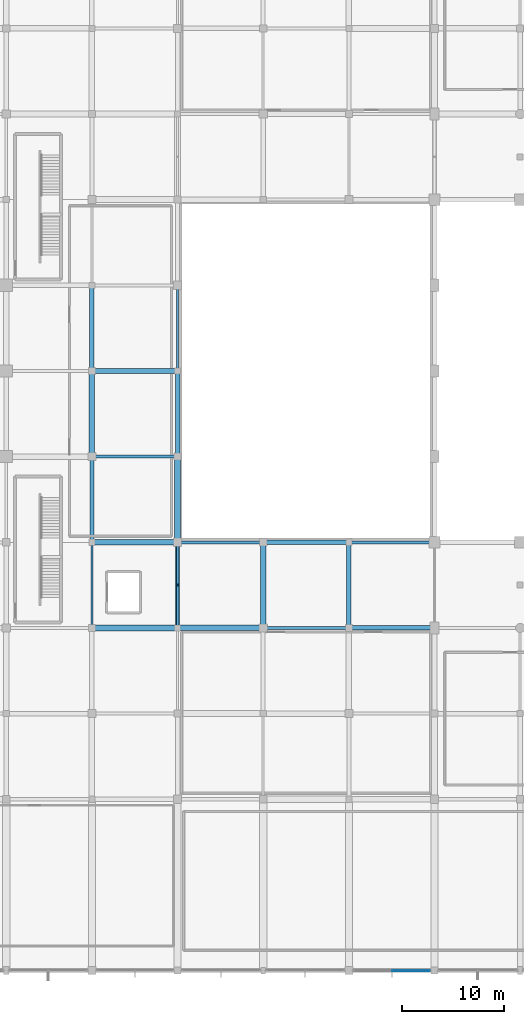
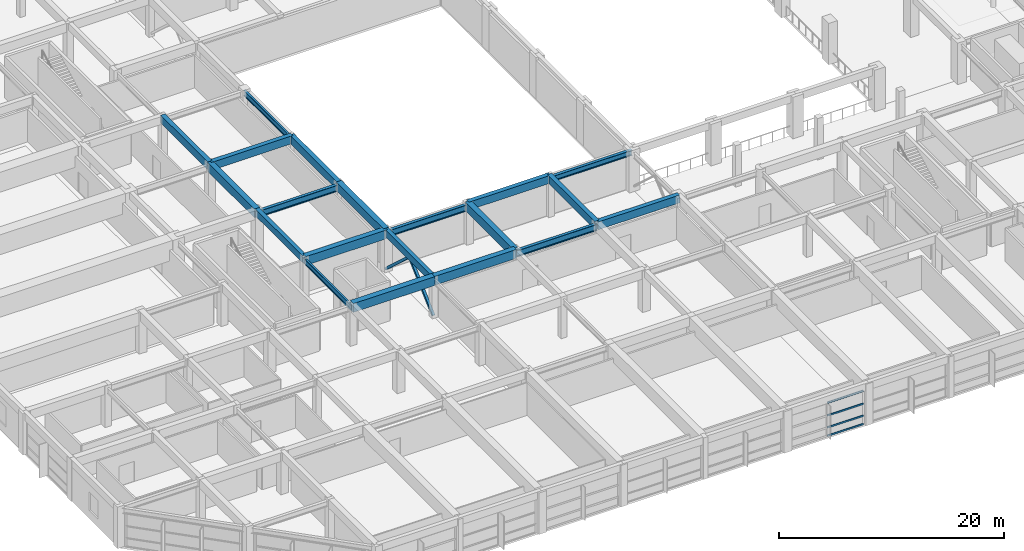
# One storey, part 15 of 65: 20 beams, 6 members, 1 element without a shape of its own.
"""IFC4 building model written with IfcOpenShell, lengths in metres."""

from ifc_helpers import new_model, si_unit, direction, frame, origin, origin_2d, place, context, subcontext, project, spatial, rectangle, hollow_rectangle, i_section, extrude, material, material_profile, profile_set, type_object, element, aggregate, save


model = new_model("IFC4")

# Units and contexts
model_context = context("Model", 3, precision=1e-05, world=origin(), true_north=direction((0.0, 1.0)))
body_context = subcontext(model_context, "Body", "Model", "MODEL_VIEW")
ifc_project = project(units=[si_unit("LENGTHUNIT", "METRE"), si_unit("AREAUNIT", "SQUARE_METRE"), si_unit("VOLUMEUNIT", "CUBIC_METRE"), si_unit("PLANEANGLEUNIT", "RADIAN"), si_unit("MASSUNIT", "GRAM", prefix="KILO")], contexts=[model_context])

# Site, building, storey
site_placement = place(None, origin())
site = spatial("IfcSite", under=ifc_project, at=site_placement, CompositionType="ELEMENT")
building_placement = place(site_placement, origin())
building = spatial("IfcBuilding", under=site, at=building_placement, Name="Xuanlan Plaza Opera House", CompositionType="ELEMENT")
storey_placement = place(building_placement, frame((0.0, 0.0, 5.39990234375)))
storey = spatial("IfcBuildingStorey", under=building, at=storey_placement, Name="L01", CompositionType="ELEMENT", Elevation=5.39990234375)

# Curtain wall, members
ifc_material_1 = material(Name="Anodised Aluminium 6063-T6 and Low-E Glass", Category="aluminium")
curtain_wall_type = type_object("IfcCurtainWallType", Name="ENV-CW-CW-05", PredefinedType="USERDEFINED", material=ifc_material_1)
curtain_wall_placement = place(storey_placement, origin())
curtain_wall = element("IfcCurtainWall", 1, at=curtain_wall_placement, inside=storey, type_object=curtain_wall_type, Name="Acoustic Glazed Wall L01-006", ObjectType="ACOUSTIC GLAZED WALL", PredefinedType="USERDEFINED")
ifc_material_2 = material(Name="Anodised Aluminium 6063-T6", Category="aluminium")
ifc_material_profile_1 = material_profile(ifc_material_2, rectangle(XDim=0.090087890625, YDim=0.179931640625, at=origin_2d()), Name="ALU-T 90x180")
ifc_profile_set_1 = profile_set([ifc_material_profile_1], Name="Anodised Aluminium 6063-T6")
member_type_1 = type_object("IfcMemberType", Name="ENV-CWT-05", PredefinedType="USERDEFINED", material=ifc_profile_set_1)
member_1_placement = place(storey_placement, frame((63.06494140625, 0.0, 0.045166015625), z_axis=(1.0, 0.0, 0.0), x_axis=(0.0, 1.0, 0.0)))
member_1 = element("IfcMember", 2, at=member_1_placement, type_object=member_type_1, Name="CW-05 transom 2.1", ObjectType="TRANSOM", PredefinedType="USERDEFINED", context=body_context, shape_type="SweptSolid", body=[
    extrude(rectangle(XDim=0.090087890625, YDim=0.179931640625, at=origin_2d()), origin(), (0.0, 0.0, 1.0), 3.68505859375),
])
member_2_placement = place(storey_placement, frame((63.06494140625, 0.0, 0.9501953125), z_axis=(1.0, 0.0, 0.0), x_axis=(0.0, 1.0, 0.0)))
member_2 = element("IfcMember", 3, at=member_2_placement, type_object=member_type_1, Name="CW-05 transom 2.2", ObjectType="TRANSOM", PredefinedType="USERDEFINED", context=body_context, shape_type="SweptSolid", body=[
    extrude(rectangle(XDim=0.090087890625, YDim=0.179931640625, at=origin_2d()), origin(), (0.0, 0.0, 1.0), 3.68505859375),
])
member_3_placement = place(storey_placement, frame((63.06494140625, 0.0, 2.25), z_axis=(1.0, 0.0, 0.0), x_axis=(0.0, 1.0, 0.0)))
member_3 = element("IfcMember", 4, at=member_3_placement, type_object=member_type_1, Name="CW-05 transom 2.3", ObjectType="TRANSOM", PredefinedType="USERDEFINED", context=body_context, shape_type="SweptSolid", body=[
    extrude(rectangle(XDim=0.090087890625, YDim=0.179931640625, at=origin_2d()), origin(), (0.0, 0.0, 1.0), 3.68505859375),
])
member_4_placement = place(storey_placement, frame((63.06494140625, 0.0, 3.635009765625), z_axis=(1.0, 0.0, 0.0), x_axis=(0.0, 1.0, 0.0)))
member_4 = element("IfcMember", 5, at=member_4_placement, type_object=member_type_1, Name="CW-05 transom 2.4", ObjectType="TRANSOM", PredefinedType="USERDEFINED", context=body_context, shape_type="SweptSolid", body=[
    extrude(rectangle(XDim=0.090087890625, YDim=0.179931640625, at=origin_2d()), origin(), (0.0, 0.0, 1.0), 3.68505859375),
])
aggregate(curtain_wall, [member_1, member_2, member_3, member_4])

# Beams
ifc_material_3 = material(Name="Concrete C50", Category="concrete")
ifc_material_profile_2 = material_profile(ifc_material_3, rectangle(XDim=0.60009765625, YDim=0.949951171875, at=origin_2d()), Name="RC-BM 600x950")
ifc_profile_set_2 = profile_set([ifc_material_profile_2], Name="Concrete C50")
beam_type_1 = type_object("IfcBeamType", Name="STR-BM-B-01", PredefinedType="BEAM", material=ifc_profile_set_2)
beam_1_placement = place(storey_placement, frame((33.60009765625, 33.60009765625, 4.025146484375), z_axis=(1.0, 0.0, 0.0), x_axis=(0.0, 1.0, 0.0)))
element("IfcBeam", 6, at=beam_1_placement, inside=storey, type_object=beam_type_1, Name="Grid Beam X L01 5-6/E", PredefinedType="BEAM", context=body_context, shape_type="SweptSolid", body=[
    extrude(rectangle(XDim=0.60009765625, YDim=0.949951171875, at=origin_2d()), origin(), (0.0, 0.0, 1.0), 8.39990234375),
])
ifc_material_profile_3 = material_profile(ifc_material_3, rectangle(XDim=0.550048828125, YDim=0.949951171875, at=origin_2d()), Name="RC-BM 550x950")
ifc_profile_set_3 = profile_set([ifc_material_profile_3], Name="Concrete C50")
beam_type_2 = type_object("IfcBeamType", Name="STR-BM-B-02", PredefinedType="BEAM", material=ifc_profile_set_3)
for number, where, z_axis, x_axis, name in (
    (7, (42.0, 33.60009765625, 4.025146484375), (1.0, 0.0, 0.0), (0.0, 1.0, 0.0), "Grid Beam X L01 6-7/E"),
    (8, (33.60009765625, 42.0, 4.025146484375), (1.0, 0.0, 0.0), (0.0, 1.0, 0.0), "Grid Beam X L01 5-6/F"),
):
    element("IfcBeam", number, at=place(storey_placement, frame(where, z_axis=z_axis, x_axis=x_axis)), inside=storey, type_object=beam_type_2, Name=name, PredefinedType="BEAM", context=body_context, shape_type="SweptSolid", body=[
        extrude(rectangle(XDim=0.550048828125, YDim=0.949951171875, at=origin_2d()), origin(), (0.0, 0.0, 1.0), 8.39990234375),
    ])
beam_2_placement = place(storey_placement, frame((33.60009765625, 50.39990234375, 4.025146484375), z_axis=(0.0, 1.0, 0.0), x_axis=(-1.0, 0.0, 0.0)))
element("IfcBeam", 9, at=beam_2_placement, inside=storey, type_object=beam_type_2, Name="Grid Beam Y L01 5/G-H", PredefinedType="BEAM", context=body_context, shape_type="SweptSolid", body=[
    extrude(rectangle(XDim=0.550048828125, YDim=0.949951171875, at=origin_2d()), origin(), (0.0, 0.0, 1.0), 8.400146484375),
])
for number, where, z_axis, x_axis, name in (
    (10, (42.0, 42.0, 4.025146484375), (0.0, 1.0, 0.0), (-1.0, 0.0, 0.0), "Grid Beam Y L01 6/F-G"),
    (11, (50.39990234375, 33.60009765625, 4.025146484375), (0.0, 1.0, 0.0), (-1.0, 0.0, 0.0), "Grid Beam Y L01 7/E-F"),
):
    element("IfcBeam", number, at=place(storey_placement, frame(where, z_axis=z_axis, x_axis=x_axis)), inside=storey, type_object=beam_type_2, Name=name, PredefinedType="BEAM", context=body_context, shape_type="SweptSolid", body=[
        extrude(rectangle(XDim=0.550048828125, YDim=0.949951171875, at=origin_2d()), origin(), (0.0, 0.0, 1.0), 8.39990234375),
    ])
ifc_material_4 = material(Name="Concrete C40", Category="concrete")
ifc_material_profile_4 = material_profile(ifc_material_4, rectangle(XDim=0.449951171875, YDim=0.85009765625, at=origin_2d()), Name="RC-BM 450x850")
ifc_profile_set_4 = profile_set([ifc_material_profile_4], Name="Concrete C40")
beam_type_3 = type_object("IfcBeamType", Name="STR-BM-B-04", PredefinedType="BEAM", material=ifc_profile_set_4)
beam_3_placement = place(storey_placement, frame((58.800048828125, 33.60009765625, 4.0751953125), z_axis=(1.0, 0.0, 0.0), x_axis=(0.0, 1.0, 0.0)))
element("IfcBeam", 12, at=beam_3_placement, inside=storey, type_object=beam_type_3, Name="Grid Beam X L01 8-9/E", PredefinedType="BEAM", context=body_context, shape_type="SweptSolid", body=[
    extrude(rectangle(XDim=0.449951171875, YDim=0.85009765625, at=origin_2d()), origin(), (0.0, 0.0, 1.0), 8.39990234375),
])
beam_4_placement = place(storey_placement, frame((50.39990234375, 42.0, 4.0751953125), z_axis=(1.0, 0.0, 0.0), x_axis=(0.0, 1.0, 0.0)))
element("IfcBeam", 13, at=beam_4_placement, inside=storey, type_object=beam_type_3, Name="Grid Beam X L01 7-8/F", PredefinedType="BEAM", context=body_context, shape_type="SweptSolid", body=[
    extrude(rectangle(XDim=0.449951171875, YDim=0.85009765625, at=origin_2d()), origin(), (0.0, 0.0, 1.0), 8.400146484375),
])
for number, where, z_axis, x_axis, name in (
    (14, (33.60009765625, 58.800048828125, 4.0751953125), (1.0, 0.0, 0.0), (0.0, 1.0, 0.0), "Grid Beam X L01 5-6/H"),
    (15, (33.60009765625, 58.800048828125, 4.0751953125), (0.0, 1.0, 0.0), (-1.0, 0.0, 0.0), "Grid Beam Y L01 5/H-I"),
):
    element("IfcBeam", number, at=place(storey_placement, frame(where, z_axis=z_axis, x_axis=x_axis)), inside=storey, type_object=beam_type_3, Name=name, PredefinedType="BEAM", context=body_context, shape_type="SweptSolid", body=[
        extrude(rectangle(XDim=0.449951171875, YDim=0.85009765625, at=origin_2d()), origin(), (0.0, 0.0, 1.0), 8.39990234375),
    ])
beam_5_placement = place(storey_placement, frame((42.0, 50.39990234375, 4.0751953125), z_axis=(0.0, 1.0, 0.0), x_axis=(-1.0, 0.0, 0.0)))
element("IfcBeam", 16, at=beam_5_placement, inside=storey, type_object=beam_type_3, Name="Grid Beam Y L01 6/G-H", PredefinedType="BEAM", context=body_context, shape_type="SweptSolid", body=[
    extrude(rectangle(XDim=0.449951171875, YDim=0.85009765625, at=origin_2d()), origin(), (0.0, 0.0, 1.0), 8.400146484375),
])
beam_6_placement = place(storey_placement, frame((58.800048828125, 33.60009765625, 4.0751953125), z_axis=(0.0, 1.0, 0.0), x_axis=(-1.0, 0.0, 0.0)))
element("IfcBeam", 17, at=beam_6_placement, inside=storey, type_object=beam_type_3, Name="Grid Beam Y L01 8/E-F", PredefinedType="BEAM", context=body_context, shape_type="SweptSolid", body=[
    extrude(rectangle(XDim=0.449951171875, YDim=0.85009765625, at=origin_2d()), origin(), (0.0, 0.0, 1.0), 8.39990234375),
])
ifc_material_profile_5 = material_profile(ifc_material_4, rectangle(XDim=0.39990234375, YDim=0.75, at=origin_2d()), Name="RC-BM 400x750")
ifc_profile_set_5 = profile_set([ifc_material_profile_5], Name="Concrete C40")
beam_type_4 = type_object("IfcBeamType", Name="STR-BM-B-06", PredefinedType="BEAM", material=ifc_profile_set_5)
for number, where, z_axis, x_axis, name in (
    (18, (33.60009765625, 42.0, 4.125), (0.0, 1.0, 0.0), (-1.0, 0.0, 0.0), "Grid Beam Y L01 5/F-G"),
    (19, (42.0, 33.60009765625, 4.125), (0.0, 1.0, 0.0), (-1.0, 0.0, 0.0), "Grid Beam Y L01 6/E-F"),
):
    element("IfcBeam", number, at=place(storey_placement, frame(where, z_axis=z_axis, x_axis=x_axis)), inside=storey, type_object=beam_type_4, Name=name, PredefinedType="BEAM", context=body_context, shape_type="SweptSolid", body=[
        extrude(rectangle(XDim=0.39990234375, YDim=0.75, at=origin_2d()), origin(), (0.0, 0.0, 1.0), 8.39990234375),
    ])
ifc_material_5 = material(Name="Steel Q355B", Category="steel")
ifc_material_profile_6 = material_profile(ifc_material_5, i_section(OverallWidth=0.300048828125, OverallDepth=0.699951171875, WebThickness=0.012939453125, FlangeThickness=0.02392578125, FilletRadius=0.02392578125, at=origin_2d()), Name="HN 700x300x13x24")
ifc_profile_set_6 = profile_set([ifc_material_profile_6], Name="Steel Q355B")
beam_type_5 = type_object("IfcBeamType", Name="STR-BM-SB-03", PredefinedType="BEAM", material=ifc_profile_set_6)
beam_7_placement = place(storey_placement, frame((50.39990234375, 33.60009765625, 3.885009765625), z_axis=(1.0, 0.0, 0.0), x_axis=(0.0, 1.0, 0.0)))
element("IfcBeam", 20, at=beam_7_placement, inside=storey, type_object=beam_type_5, Name="Grid Beam X L01 7-8/E", PredefinedType="BEAM", context=body_context, shape_type="SweptSolid", body=[
    extrude(i_section(OverallWidth=0.300048828125, OverallDepth=0.699951171875, WebThickness=0.012939453125, FlangeThickness=0.02392578125, FilletRadius=0.02392578125, at=origin_2d()), origin(), (0.0, 0.0, 1.0), 8.400146484375),
])
for number, where, z_axis, x_axis, name in (
    (21, (42.0, 42.0, 3.885009765625), (1.0, 0.0, 0.0), (0.0, 1.0, 0.0), "Grid Beam X L01 6-7/F"),
    (22, (33.60009765625, 50.39990234375, 3.885009765625), (1.0, 0.0, 0.0), (0.0, 1.0, 0.0), "Grid Beam X L01 5-6/G"),
):
    element("IfcBeam", number, at=place(storey_placement, frame(where, z_axis=z_axis, x_axis=x_axis)), inside=storey, type_object=beam_type_5, Name=name, PredefinedType="BEAM", context=body_context, shape_type="SweptSolid", body=[
        extrude(i_section(OverallWidth=0.300048828125, OverallDepth=0.699951171875, WebThickness=0.012939453125, FlangeThickness=0.02392578125, FilletRadius=0.02392578125, at=origin_2d()), origin(), (0.0, 0.0, 1.0), 8.39990234375),
    ])
ifc_material_profile_7 = material_profile(ifc_material_5, i_section(OverallWidth=0.199951171875, OverallDepth=0.60009765625, WebThickness=0.010986328125, FlangeThickness=0.01708984375, FilletRadius=0.02197265625, at=origin_2d()), Name="HN 600x200x11x17")
ifc_profile_set_7 = profile_set([ifc_material_profile_7], Name="Steel Q355B")
beam_type_6 = type_object("IfcBeamType", Name="STR-BM-SB-04", PredefinedType="BEAM", material=ifc_profile_set_7)
for number, where, z_axis, x_axis, name in (
    (23, (33.60009765625, 33.60009765625, 3.93505859375), (0.0, 1.0, 0.0), (-1.0, 0.0, 0.0), "Grid Beam Y L01 5/E-F"),
    (24, (42.0, 58.800048828125, 3.93505859375), (0.0, 1.0, 0.0), (-1.0, 0.0, 0.0), "Grid Beam Y L01 6/H-I"),
):
    element("IfcBeam", number, at=place(storey_placement, frame(where, z_axis=z_axis, x_axis=x_axis)), inside=storey, type_object=beam_type_6, Name=name, PredefinedType="BEAM", context=body_context, shape_type="SweptSolid", body=[
        extrude(i_section(OverallWidth=0.199951171875, OverallDepth=0.60009765625, WebThickness=0.010986328125, FlangeThickness=0.01708984375, FilletRadius=0.02197265625, at=origin_2d()), origin(), (0.0, 0.0, 1.0), 8.39990234375),
    ])
ifc_material_profile_8 = material_profile(ifc_material_5, i_section(OverallWidth=0.300048828125, OverallDepth=0.587890625, WebThickness=0.011962890625, FlangeThickness=0.02001953125, FilletRadius=0.02392578125, at=origin_2d()), Name="HM 588x300x12x20")
ifc_profile_set_8 = profile_set([ifc_material_profile_8], Name="Steel Q355B")
beam_type_7 = type_object("IfcBeamType", Name="STR-BM-SB-06", PredefinedType="BEAM", material=ifc_profile_set_8)
beam_8_placement = place(storey_placement, frame((58.800048828125, 42.0, 3.941162109375), z_axis=(1.0, 0.0, 0.0), x_axis=(0.0, 1.0, 0.0)))
element("IfcBeam", 25, at=beam_8_placement, inside=storey, type_object=beam_type_7, Name="Grid Beam X L01 8-9/F", PredefinedType="BEAM", context=body_context, shape_type="SweptSolid", body=[
    extrude(i_section(OverallWidth=0.300048828125, OverallDepth=0.587890625, WebThickness=0.011962890625, FlangeThickness=0.02001953125, FilletRadius=0.02392578125, at=origin_2d()), origin(), (0.0, 0.0, 1.0), 8.39990234375),
])

# Members
ifc_material_profile_9 = material_profile(ifc_material_5, hollow_rectangle(XDim=0.25, YDim=0.25, WallThickness=0.011962890625, at=origin_2d()), Name="SHS 250x250x12")
ifc_profile_set_9 = profile_set([ifc_material_profile_9], Name="Steel Q355B")
member_type_2 = type_object("IfcMemberType", Name="STR-MEM-BR-06", PredefinedType="BRACE", material=ifc_profile_set_9)
for number, where, z_axis, x_axis, name in (
    (26, (42.0, 33.60009765625, 0.10009765625), (0.0, 0.737141689437, 0.675738210918), (-1.0, 0.0, 0.0), "Stage Lateral Chevron Brace L01-0A"),
    (27, (42.0, 42.0, 0.10009765625), (0.0, -0.737141689437, 0.675738210918), (1.0, 0.0, 0.0), "Stage Lateral Chevron Brace L01-0B"),
):
    element("IfcMember", number, at=place(storey_placement, frame(where, z_axis=z_axis, x_axis=x_axis)), inside=storey, type_object=member_type_2, Name=name, PredefinedType="BRACE", context=body_context, shape_type="SweptSolid", body=[
        extrude(hollow_rectangle(XDim=0.25, YDim=0.25, WallThickness=0.011962890625, at=origin_2d()), origin(), (0.0, 0.0, 1.0), 5.697509765625),
    ])

save(model, "model.ifc")
